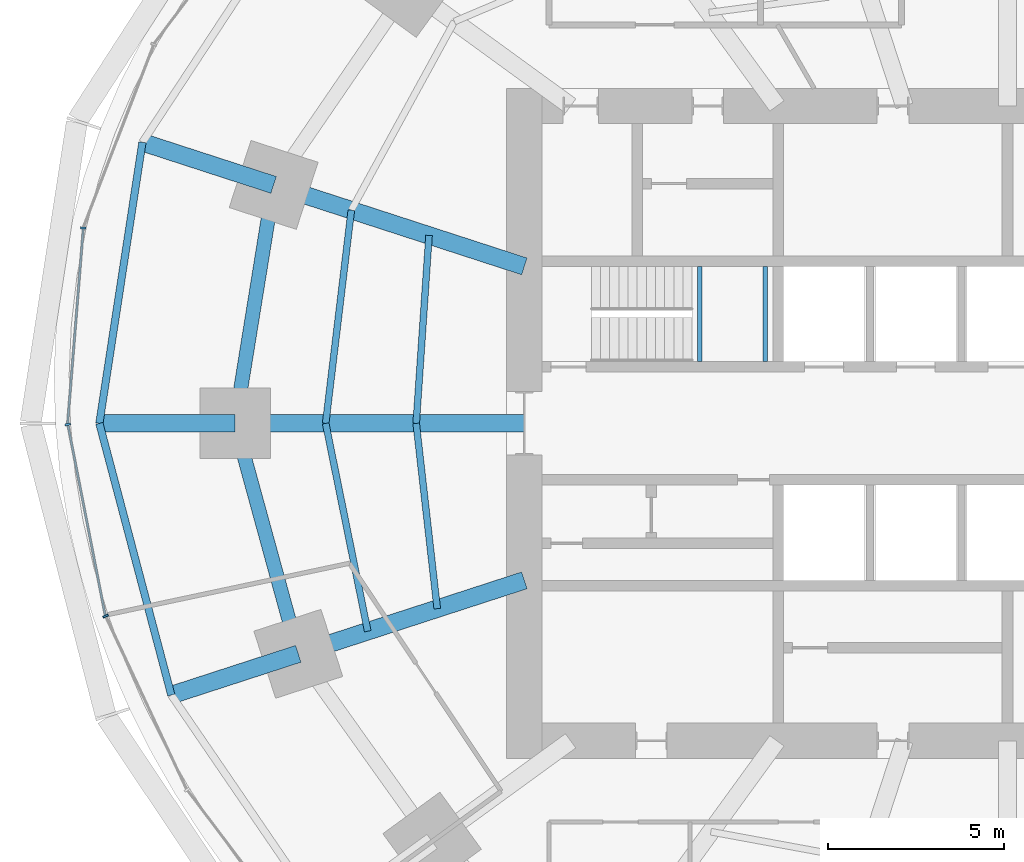
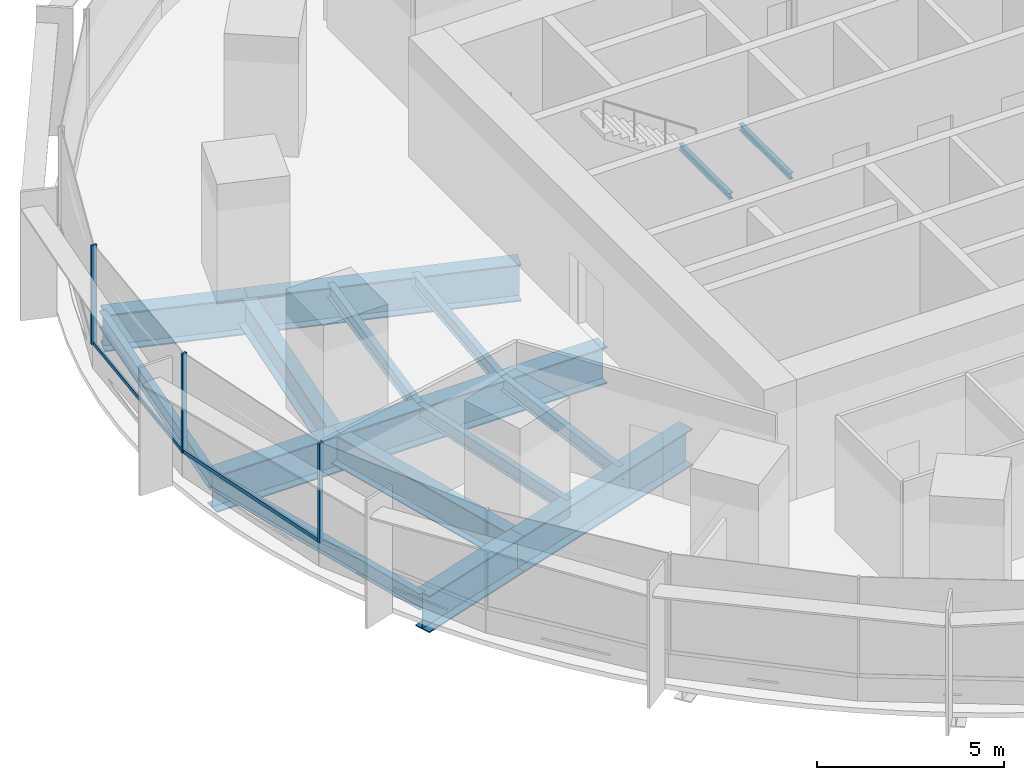
# One storey, part 4 of 15: 16 beams, 5 members, 2 elements without a shape of their own.
"""IFC4 building model written with IfcOpenShell, lengths in metres."""

from ifc_helpers import new_model, si_unit, direction, frame, origin, origin_2d, place, context, subcontext, project, spatial, rectangle, i_section, extrude, material, material_profile, profile_set, type_object, element, aggregate, save


model = new_model("IFC4")

# Units and contexts
model_context = context("Model", 3, precision=1e-05, world=origin(), true_north=direction((0.0, 1.0)))
body_context = subcontext(model_context, "Body", "Model", "MODEL_VIEW")
ifc_project = project(units=[si_unit("LENGTHUNIT", "METRE"), si_unit("AREAUNIT", "SQUARE_METRE"), si_unit("VOLUMEUNIT", "CUBIC_METRE"), si_unit("PLANEANGLEUNIT", "RADIAN"), si_unit("MASSUNIT", "GRAM", prefix="KILO")], contexts=[model_context])

# Site, building, storey
site_placement = place(None, origin())
site = spatial("IfcSite", under=ifc_project, at=site_placement, CompositionType="ELEMENT")
building_placement = place(site_placement, origin())
building = spatial("IfcBuilding", under=site, at=building_placement, Name="Marramba Exchange Tower", CompositionType="ELEMENT")
storey_placement = place(building_placement, frame((0.0, 0.0, 23.800048828125)))
storey = spatial("IfcBuildingStorey", under=building, at=storey_placement, Name="L05", CompositionType="ELEMENT", Elevation=23.800048828125)

# Beams
ifc_material_1 = material(Name="Steel AS/NZS 3679.2 grade 300", Category="steel")
ifc_material_profile_1 = material_profile(ifc_material_1, i_section(OverallWidth=0.5, OverallDepth=1.199951171875, WebThickness=0.01611328125, FlangeThickness=0.0400390625, at=origin_2d()), Name="1200WB455")
ifc_profile_set_1 = profile_set([ifc_material_profile_1], Name="Steel AS/NZS 3679.2 grade 300")
beam_type_1 = type_object("IfcBeamType", Name="Cantilever girder 1200WB455", PredefinedType="BEAM", material=ifc_profile_set_1)
beam_1_placement = place(storey_placement, frame((-20.808349609375, 6.760986328125, -0.760009765625), z_axis=(-0.951058833549, 0.309009862508, 0.0), x_axis=(-0.309009862508, -0.951058833549, 0.0)))
element("IfcBeam", 1, at=beam_1_placement, inside=storey, type_object=beam_type_1, Name="Cantilever girder L05 TC10", PredefinedType="BEAM", context=body_context, shape_type="SweptSolid", body=[
    extrude(i_section(OverallWidth=0.5, OverallDepth=1.199951171875, WebThickness=0.01611328125, FlangeThickness=0.0400390625, at=origin_2d()), origin(), (0.0, 0.0, 1.0), 3.91162109375),
])
beam_2_placement = place(storey_placement, frame((-21.89990234375, 0.0, -0.760009765625), z_axis=(-1.0, 0.0, 0.0), x_axis=(0.0, -1.0, 0.0)))
element("IfcBeam", 2, at=beam_2_placement, inside=storey, type_object=beam_type_1, Name="Cantilever girder L05 TC11", PredefinedType="BEAM", context=body_context, shape_type="SweptSolid", body=[
    extrude(i_section(OverallWidth=0.5, OverallDepth=1.199951171875, WebThickness=0.01611328125, FlangeThickness=0.0400390625, at=origin_2d()), origin(), (0.0, 0.0, 1.0), 3.85009765625),
])
beam_3_placement = place(storey_placement, frame((-20.109375, -6.533935546875, -0.760009765625), z_axis=(-0.951048759501, -0.309040866314, 0.0), x_axis=(0.309040866314, -0.951048759501, 0.0)))
element("IfcBeam", 3, at=beam_3_placement, inside=storey, type_object=beam_type_1, Name="Cantilever girder L05 TC12", PredefinedType="BEAM", context=body_context, shape_type="SweptSolid", body=[
    extrude(i_section(OverallWidth=0.5, OverallDepth=1.199951171875, WebThickness=0.01611328125, FlangeThickness=0.0400390625, at=origin_2d()), origin(), (0.0, 0.0, 1.0), 3.78564453125),
])
ifc_material_2 = material(Name="Steel AS/NZS 3679.1 grade 300", Category="steel")
ifc_material_profile_2 = material_profile(ifc_material_2, i_section(OverallWidth=0.18994140625, OverallDepth=0.4541015625, WebThickness=0.008544921875, FlangeThickness=0.0126953125, FilletRadius=0.011474609375, at=origin_2d()), Name="460UB67.1")
ifc_profile_set_2 = profile_set([ifc_material_profile_2], Name="Steel AS/NZS 3679.1 grade 300")
beam_type_2 = type_object("IfcBeamType", Name="Floor joist 460UB67.1", PredefinedType="JOIST", material=ifc_profile_set_2)
beam_4_placement = place(storey_placement, frame((-16.40283203125, 5.32958984375, -0.386962890625), z_axis=(-0.068096259546, -0.99767875563, 0.0), x_axis=(0.99767875563, -0.068096259546, 0.0)))
element("IfcBeam", 4, at=beam_4_placement, inside=storey, type_object=beam_type_2, Name="Joist L05 bay 10 row 1", PredefinedType="JOIST", context=body_context, shape_type="SweptSolid", body=[
    extrude(i_section(OverallWidth=0.18994140625, OverallDepth=0.4541015625, WebThickness=0.008544921875, FlangeThickness=0.0126953125, FilletRadius=0.011474609375, at=origin_2d()), origin(), (0.0, 0.0, 1.0), 5.342041015625),
])
beam_5_placement = place(storey_placement, frame((-18.60546875, 6.04541015625, -0.386962890625), z_axis=(-0.119523078538, -0.992831422597, 0.0), x_axis=(0.992831422597, -0.119523078538, 0.0)))
element("IfcBeam", 5, at=beam_5_placement, inside=storey, type_object=beam_type_2, Name="Joist L05 bay 10 row 2", PredefinedType="JOIST", context=body_context, shape_type="SweptSolid", body=[
    extrude(i_section(OverallWidth=0.18994140625, OverallDepth=0.4541015625, WebThickness=0.008544921875, FlangeThickness=0.0126953125, FilletRadius=0.011474609375, at=origin_2d()), origin(), (0.0, 0.0, 1.0), 6.089111328125),
])
beam_6_placement = place(storey_placement, frame((-16.7666015625, 0.0, -0.386962890625), z_axis=(0.112888968594, -0.993607609054, 0.0), x_axis=(0.993607609054, 0.112888968594, 0.0)))
element("IfcBeam", 6, at=beam_6_placement, inside=storey, type_object=beam_type_2, Name="Joist L05 bay 11 row 1", PredefinedType="JOIST", context=body_context, shape_type="SweptSolid", body=[
    extrude(i_section(OverallWidth=0.18994140625, OverallDepth=0.4541015625, WebThickness=0.008544921875, FlangeThickness=0.0126953125, FilletRadius=0.011474609375, at=origin_2d()), origin(), (0.0, 0.0, 1.0), 5.28759765625),
])
beam_7_placement = place(storey_placement, frame((-19.333251953125, 0.0, -0.386962890625), z_axis=(0.198489047047, -0.980103105904, 0.0), x_axis=(0.980103105904, 0.198489047047, 0.0)))
element("IfcBeam", 7, at=beam_7_placement, inside=storey, type_object=beam_type_2, Name="Joist L05 bay 11 row 2", PredefinedType="JOIST", context=body_context, shape_type="SweptSolid", body=[
    extrude(i_section(OverallWidth=0.18994140625, OverallDepth=0.4541015625, WebThickness=0.008544921875, FlangeThickness=0.0126953125, FilletRadius=0.011474609375, at=origin_2d()), origin(), (0.0, 0.0, 1.0), 6.013427734375),
])
ifc_material_profile_3 = material_profile(ifc_material_1, i_section(OverallWidth=0.5, OverallDepth=1.199951171875, WebThickness=0.01611328125, FlangeThickness=0.0400390625, at=origin_2d()), Name="1200WB455")
ifc_profile_set_3 = profile_set([ifc_material_profile_3], Name="Steel AS/NZS 3679.2 grade 300")
beam_type_3 = type_object("IfcBeamType", Name="Radial girder 1200WB455", PredefinedType="BEAM", material=ifc_profile_set_3)
beam_8_placement = place(storey_placement, frame((-13.699951171875, 4.451416015625, -0.760009765625), z_axis=(-0.951059990189, 0.309006302624, 0.0), x_axis=(-0.309006302624, -0.951059990189, 0.0)))
element("IfcBeam", 8, at=beam_8_placement, inside=storey, type_object=beam_type_3, Name="Radial girder L05 TC10", PredefinedType="BEAM", context=body_context, shape_type="SweptSolid", body=[
    extrude(i_section(OverallWidth=0.5, OverallDepth=1.199951171875, WebThickness=0.01611328125, FlangeThickness=0.0400390625, at=origin_2d()), origin(), (0.0, 0.0, 1.0), 7.47412109375),
])
beam_9_placement = place(storey_placement, frame((-13.699951171875, 0.0, -0.760009765625), z_axis=(-1.0, 0.0, 0.0), x_axis=(0.0, -1.0, 0.0)))
element("IfcBeam", 9, at=beam_9_placement, inside=storey, type_object=beam_type_3, Name="Radial girder L05 TC11", PredefinedType="BEAM", context=body_context, shape_type="SweptSolid", body=[
    extrude(i_section(OverallWidth=0.5, OverallDepth=1.199951171875, WebThickness=0.01611328125, FlangeThickness=0.0400390625, at=origin_2d()), origin(), (0.0, 0.0, 1.0), 8.199951171875),
])
beam_10_placement = place(storey_placement, frame((-13.699951171875, -4.451416015625, -0.760009765625), z_axis=(-0.951057759669, -0.309013167637, 0.0), x_axis=(0.309013167637, -0.951057759669, 0.0)))
element("IfcBeam", 10, at=beam_10_placement, inside=storey, type_object=beam_type_3, Name="Radial girder L05 TC12", PredefinedType="BEAM", context=body_context, shape_type="SweptSolid", body=[
    extrude(i_section(OverallWidth=0.5, OverallDepth=1.199951171875, WebThickness=0.01611328125, FlangeThickness=0.0400390625, at=origin_2d()), origin(), (0.0, 0.0, 1.0), 6.7392578125),
])
ifc_material_profile_4 = material_profile(ifc_material_1, i_section(OverallWidth=0.39990234375, OverallDepth=1.0, WebThickness=0.01611328125, FlangeThickness=0.031982421875, at=origin_2d()), Name="1000WB322")
ifc_profile_set_4 = profile_set([ifc_material_profile_4], Name="Steel AS/NZS 3679.2 grade 300")
beam_type_4 = type_object("IfcBeamType", Name="Ring beam 1000WB322", PredefinedType="SPANDREL", material=ifc_profile_set_4)
beam_11_placement = place(storey_placement, frame((-20.808349609375, 6.760986328125, -0.66015625), z_axis=(-0.159384865399, -0.987216523708, 0.0), x_axis=(0.987216523708, -0.159384865399, 0.0)))
element("IfcBeam", 11, at=beam_11_placement, inside=storey, type_object=beam_type_4, Name="Ring beam L05 TC10-TC11", PredefinedType="SPANDREL", context=body_context, shape_type="SweptSolid", body=[
    extrude(i_section(OverallWidth=0.39990234375, OverallDepth=1.0, WebThickness=0.01611328125, FlangeThickness=0.031982421875, at=origin_2d()), origin(), (0.0, 0.0, 1.0), 6.8486328125),
])
beam_12_placement = place(storey_placement, frame((-21.89990234375, 0.0, -0.66015625), z_axis=(0.264291166956, -0.964442937176, 0.0), x_axis=(0.964442937176, 0.264291166956, 0.0)))
element("IfcBeam", 12, at=beam_12_placement, inside=storey, type_object=beam_type_4, Name="Ring beam L05 TC11-TC12", PredefinedType="SPANDREL", context=body_context, shape_type="SweptSolid", body=[
    extrude(i_section(OverallWidth=0.39990234375, OverallDepth=1.0, WebThickness=0.01611328125, FlangeThickness=0.031982421875, at=origin_2d()), origin(), (0.0, 0.0, 1.0), 6.77490234375),
])
ifc_material_profile_5 = material_profile(ifc_material_2, i_section(OverallWidth=0.208984375, OverallDepth=0.528076171875, WebThickness=0.009521484375, FlangeThickness=0.01318359375, FilletRadius=0.013916015625, at=origin_2d()), Name="530UB82.0")
ifc_profile_set_5 = profile_set([ifc_material_profile_5], Name="Steel AS/NZS 3679.1 grade 300")
beam_type_5 = type_object("IfcBeamType", Name="Slab edge beam 530UB82.0", PredefinedType="SPANDREL", material=ifc_profile_set_5)
beam_13_placement = place(storey_placement, frame((-24.528564453125, 7.9697265625, -0.424072265625), z_axis=(-0.151490591645, -0.988458699513, 0.0), x_axis=(0.988458699513, -0.151490591645, 0.0)))
element("IfcBeam", 13, at=beam_13_placement, inside=storey, type_object=beam_type_5, Name="Slab edge beam L05 TC10-TC11", PredefinedType="SPANDREL", context=body_context, shape_type="SweptSolid", body=[
    extrude(i_section(OverallWidth=0.208984375, OverallDepth=0.528076171875, WebThickness=0.009521484375, FlangeThickness=0.01318359375, FilletRadius=0.013916015625, at=origin_2d()), origin(), (0.0, 0.0, 1.0), 8.062744140625),
])
beam_14_placement = place(storey_placement, frame((-25.75, 0.0, -0.424072265625), z_axis=(0.25601296674, -0.966673347549, 0.0), x_axis=(0.966673347549, 0.25601296674, 0.0)))
element("IfcBeam", 14, at=beam_14_placement, inside=storey, type_object=beam_type_5, Name="Slab edge beam L05 TC11-TC12", PredefinedType="SPANDREL", context=body_context, shape_type="SweptSolid", body=[
    extrude(i_section(OverallWidth=0.208984375, OverallDepth=0.528076171875, WebThickness=0.009521484375, FlangeThickness=0.01318359375, FilletRadius=0.013916015625, at=origin_2d()), origin(), (0.0, 0.0, 1.0), 7.969482421875),
])
ifc_material_profile_6 = material_profile(ifc_material_2, i_section(OverallWidth=0.133056640625, OverallDepth=0.202880859375, WebThickness=0.005859375, FlangeThickness=0.0078125, FilletRadius=0.0087890625, at=origin_2d()), Name="200UB25.4")
ifc_profile_set_6 = profile_set([ifc_material_profile_6], Name="Steel AS/NZS 3679.1 grade 300")
beam_type_6 = type_object("IfcBeamType", Name="Stair landing beam 200UB25.4", PredefinedType="BEAM", material=ifc_profile_set_6)
for number, where, z_axis, x_axis, name in (
    (15, (-8.723388671875, 1.75, 1.79833984375), (0.0, 1.0, 0.0), (-1.0, 0.0, 0.0), "Stair landing beam SLB1 ST1 L05 1"),
    (16, (-6.866455078125, 1.75, 1.79833984375), (0.0, 1.0, 0.0), (-1.0, 0.0, 0.0), "Stair landing beam SLB1 ST1 L05 2"),
):
    element("IfcBeam", number, at=place(storey_placement, frame(where, z_axis=z_axis, x_axis=x_axis)), inside=storey, type_object=beam_type_6, Name=name, PredefinedType="BEAM", context=body_context, shape_type="SweptSolid", body=[
        extrude(i_section(OverallWidth=0.133056640625, OverallDepth=0.202880859375, WebThickness=0.005859375, FlangeThickness=0.0078125, FilletRadius=0.0087890625, at=origin_2d()), origin(), (0.0, 0.0, 1.0), 2.699951171875),
    ])

# Curtain wall, member
ifc_material_3 = material(Name="Aluminium framing, bronze anodised", Category="aluminium")
curtain_wall_type = type_object("IfcCurtainWallType", Name="Trading floor ribbon curtain wall", PredefinedType="USERDEFINED", material=ifc_material_3)
curtain_wall_1_placement = place(storey_placement, origin())
curtain_wall_1 = element("IfcCurtainWall", 17, at=curtain_wall_1_placement, inside=storey, type_object=curtain_wall_type, Name="Curtain wall CW3 L05 F11-F15", ObjectType="RIBBON CURTAIN WALL", PredefinedType="USERDEFINED")
ifc_material_4 = material(Name="Aluminium mullion, bronze anodised", Category="aluminium")
ifc_material_profile_7 = material_profile(ifc_material_4, rectangle(XDim=0.159912109375, YDim=0.06005859375, at=origin_2d()), Name="CW3 mullion 60x160")
ifc_profile_set_7 = profile_set([ifc_material_profile_7], Name="Aluminium mullion, bronze anodised")
member_type_1 = type_object("IfcMemberType", Name="Trading floor ribbon curtain wall mullion", PredefinedType="MULLION", material=ifc_profile_set_7)
member_1_placement = place(storey_placement, frame((-26.203857421875, 5.539306640625, 0.800048828125), z_axis=(0.0, 0.0, 1.0), x_axis=(0.996772736434, -0.080275225953, 0.0)))
member_1 = element("IfcMember", 18, at=member_1_placement, type_object=member_type_1, Name="CW3 mullion 1", PredefinedType="MULLION", context=body_context, shape_type="SweptSolid", body=[
    extrude(rectangle(XDim=0.159912109375, YDim=0.06005859375, at=origin_2d()), origin(), (0.0, 0.0, 1.0), 3.239990234375),
])

# Curtain wall, members
curtain_wall_2_placement = place(storey_placement, origin())
curtain_wall_2 = element("IfcCurtainWall", 19, at=curtain_wall_2_placement, inside=storey, type_object=curtain_wall_type, Name="Curtain wall CW3 L05 F16-F20", ObjectType="RIBBON CURTAIN WALL", PredefinedType="USERDEFINED")
member_2_placement = place(storey_placement, frame((-26.644287109375, -0.029541015625, 0.800048828125), z_axis=(0.0, 0.0, 1.0), x_axis=(0.981346261612, 0.1922485756, 0.0)))
member_2 = element("IfcMember", 20, at=member_2_placement, type_object=member_type_1, Name="CW3 mullion 1", PredefinedType="MULLION", context=body_context, shape_type="SweptSolid", body=[
    extrude(rectangle(XDim=0.159912109375, YDim=0.06005859375, at=origin_2d()), origin(), (0.0, 0.0, 1.0), 3.239990234375),
])
member_3_placement = place(storey_placement, frame((-25.572021484375, -5.46533203125, 0.800048828125), z_axis=(0.0, 0.0, 1.0), x_axis=(0.905906758768, 0.423477206492, 0.0)))
member_3 = element("IfcMember", 21, at=member_3_placement, type_object=member_type_1, Name="CW3 mullion 1", PredefinedType="MULLION", context=body_context, shape_type="SweptSolid", body=[
    extrude(rectangle(XDim=0.159912109375, YDim=0.06005859375, at=origin_2d()), origin(), (0.0, 0.0, 1.0), 3.239990234375),
])

# Member
ifc_material_5 = material(Name="Aluminium transom, bronze anodised", Category="aluminium")
ifc_material_profile_8 = material_profile(ifc_material_5, rectangle(XDim=0.06005859375, YDim=0.1201171875, at=origin_2d()), Name="CW3 transom 60x120")
ifc_profile_set_8 = profile_set([ifc_material_profile_8], Name="Aluminium transom, bronze anodised")
member_type_2 = type_object("IfcMemberType", Name="Trading floor ribbon curtain wall transom", PredefinedType="USERDEFINED", material=ifc_profile_set_8)
member_4_placement = place(storey_placement, frame((-26.206298828125, 5.509521484375, 0.829833984375), z_axis=(-0.080256075865, -0.996774278504, 0.0), x_axis=(0.996774278504, -0.080256075865, 0.0)))
member_4 = element("IfcMember", 22, at=member_4_placement, type_object=member_type_2, Name="CW3 sill transom", ObjectType="TRANSOM", PredefinedType="USERDEFINED", context=body_context, shape_type="SweptSolid", body=[
    extrude(rectangle(XDim=0.06005859375, YDim=0.1201171875, at=origin_2d()), origin(), (0.0, 0.0, 1.0), 5.52734375),
])

aggregate(curtain_wall_1, [member_1, member_4])

member_5_placement = place(storey_placement, frame((-26.638427734375, -0.058837890625, 0.829833984375), z_axis=(0.192226081646, -0.981350667975, 0.0), x_axis=(0.981350667975, 0.192226081646, 0.0)))
member_5 = element("IfcMember", 23, at=member_5_placement, type_object=member_type_2, Name="CW3 sill transom", ObjectType="TRANSOM", PredefinedType="USERDEFINED", context=body_context, shape_type="SweptSolid", body=[
    extrude(rectangle(XDim=0.06005859375, YDim=0.1201171875, at=origin_2d()), origin(), (0.0, 0.0, 1.0), 5.481689453125),
])

aggregate(curtain_wall_2, [member_2, member_5, member_3])

save(model, "model.ifc")
